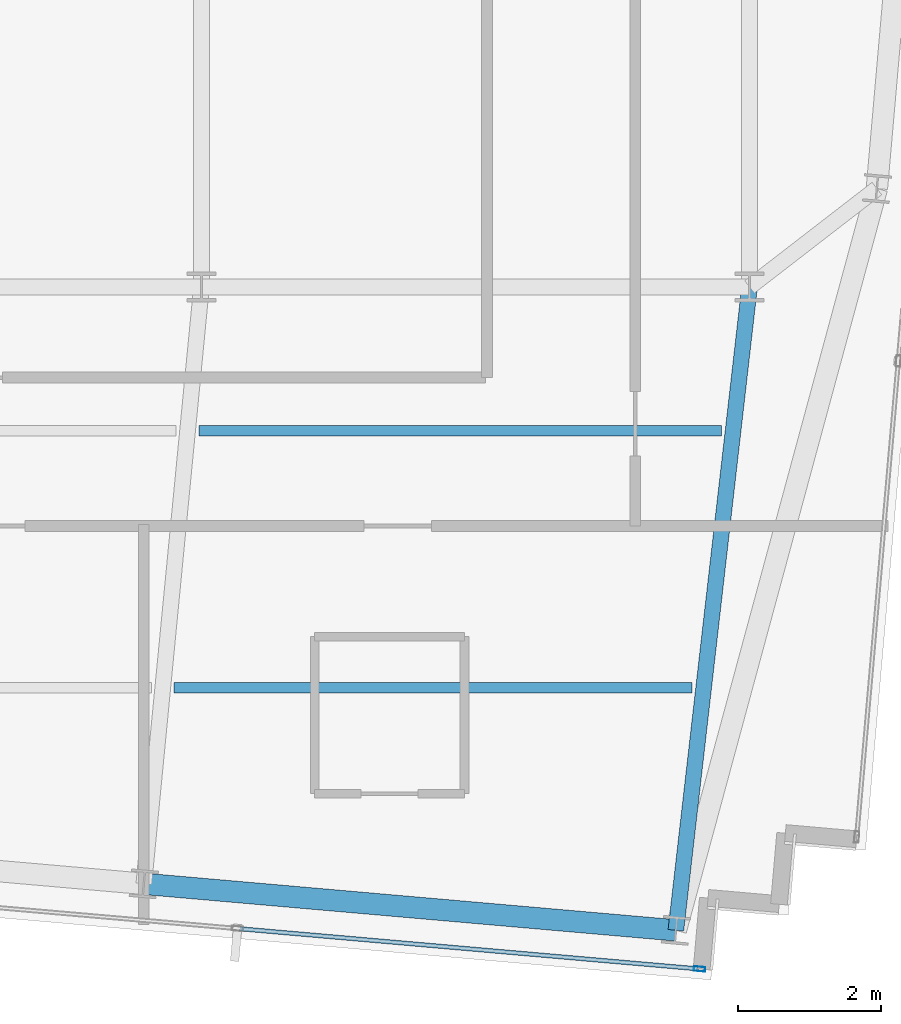
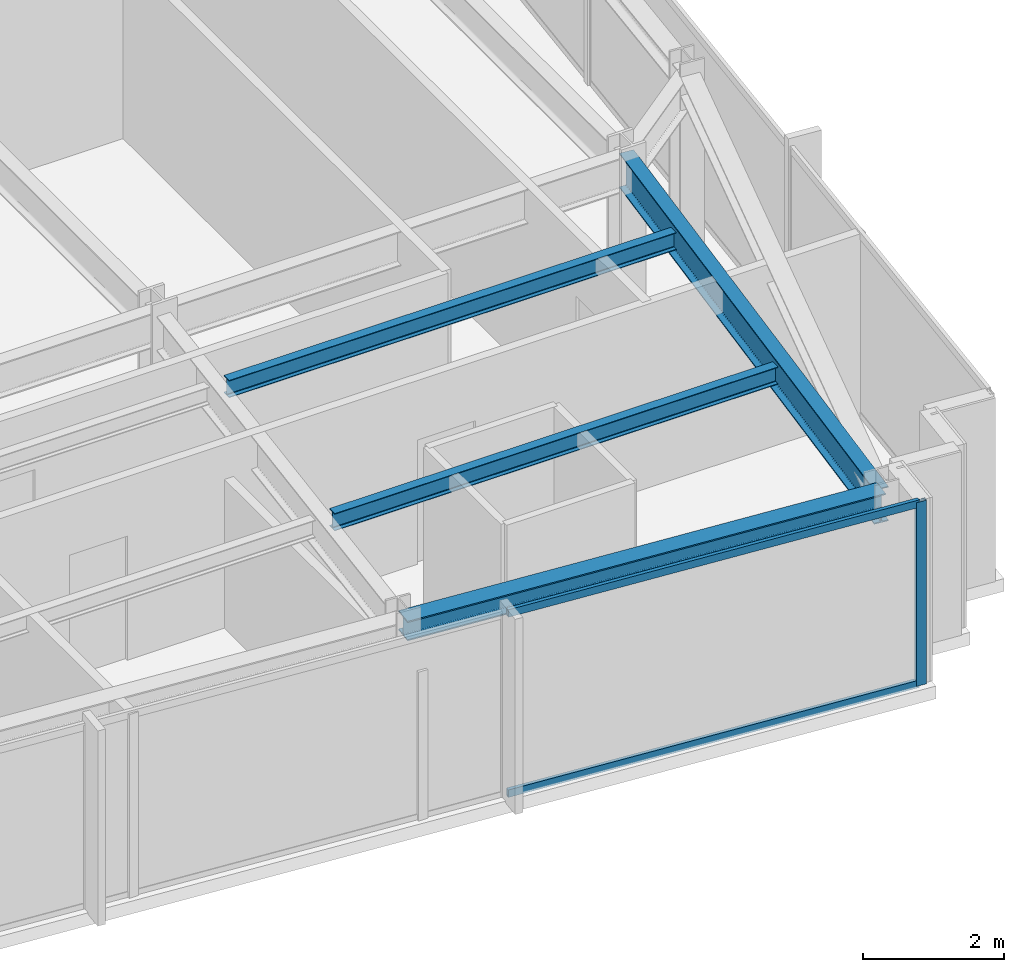
# One storey, part 14 of 32: 4 beams, 3 members, 1 element without a shape of its own.
"""IFC4 building model written with IfcOpenShell, lengths in metres."""

from ifc_helpers import new_model, si_unit, direction, frame, origin, origin_2d, place, context, subcontext, project, spatial, hollow_rectangle, i_section, extrude, material, material_profile, profile_set, type_object, element, aggregate, save


model = new_model("IFC4")

# Units and contexts
model_context = context("Model", 3, precision=1e-05, world=origin(), true_north=direction((0.0, 1.0)))
body_context = subcontext(model_context, "Body", "Model", "MODEL_VIEW")
ifc_project = project(units=[si_unit("LENGTHUNIT", "METRE"), si_unit("AREAUNIT", "SQUARE_METRE"), si_unit("VOLUMEUNIT", "CUBIC_METRE"), si_unit("PLANEANGLEUNIT", "RADIAN"), si_unit("MASSUNIT", "GRAM", prefix="KILO")], contexts=[model_context])

# Site, building, storey
site_placement = place(None, origin())
site = spatial("IfcSite", under=ifc_project, at=site_placement, CompositionType="ELEMENT")
building_placement = place(site_placement, origin())
building = spatial("IfcBuilding", under=site, at=building_placement, Name="Yelkora Congress Tower", CompositionType="ELEMENT")
storey_placement = place(building_placement, frame((0.0, 0.0, 279.5)))
storey = spatial("IfcBuildingStorey", under=building, at=storey_placement, Name="L78", CompositionType="ELEMENT", Elevation=279.5)

# Beams
ifc_material_1 = material(Name="Steel S355J2", Category="steel")
ifc_material_profile_1 = material_profile(ifc_material_1, i_section(OverallWidth=0.219970703125, OverallDepth=0.60009765625, WebThickness=0.011962890625, FlangeThickness=0.01904296875, FilletRadius=0.02392578125, at=origin_2d()), Name="IPE 600")
ifc_profile_set_1 = profile_set([ifc_material_profile_1], Name="Steel S355J2")
beam_type_1 = type_object("IfcBeamType", Name="BM-GIRD-IPE600", PredefinedType="BEAM", material=ifc_profile_set_1)
beam_1_placement = place(storey_placement, frame((52.727294921875, 16.1845703125, 2.8798828125), z_axis=(0.113806093355, 0.993502980929, 0.0), x_axis=(-0.993502980929, 0.113806093355, 0.0)))
element("IfcBeam", 1, at=beam_1_placement, inside=storey, type_object=beam_type_1, Name="L78 Primary Frame Girder S07", PredefinedType="BEAM", context=body_context, shape_type="SweptSolid", body=[
    extrude(i_section(OverallWidth=0.219970703125, OverallDepth=0.60009765625, WebThickness=0.011962890625, FlangeThickness=0.01904296875, FilletRadius=0.02392578125, at=origin_2d()), origin(), (0.0, 0.0, 1.0), 9.07421875),
])
ifc_material_profile_2 = material_profile(ifc_material_1, i_section(OverallWidth=0.14990234375, OverallDepth=0.300048828125, WebThickness=0.007080078125, FlangeThickness=0.0107421875, FilletRadius=0.014892578125, at=origin_2d()), Name="IPE 300")
ifc_profile_set_2 = profile_set([ifc_material_profile_2], Name="Steel S355J2")
beam_type_2 = type_object("IfcBeamType", Name="BM-JOIST-IPE300", PredefinedType="JOIST", material=ifc_profile_set_2)
beam_2_placement = place(storey_placement, frame((45.69775390625, 19.58447265625, 3.030029296875), z_axis=(1.0, 0.0, 0.0), x_axis=(0.0, 1.0, 0.0)))
element("IfcBeam", 2, at=beam_2_placement, inside=storey, type_object=beam_type_2, Name="L78 Composite Floor Joist 4", PredefinedType="JOIST", context=body_context, shape_type="SweptSolid", body=[
    extrude(i_section(OverallWidth=0.14990234375, OverallDepth=0.300048828125, WebThickness=0.007080078125, FlangeThickness=0.0107421875, FilletRadius=0.014892578125, at=origin_2d()), origin(), (0.0, 0.0, 1.0), 7.259033203125),
])
beam_3_placement = place(storey_placement, frame((46.04541015625, 23.1845703125, 3.030029296875), z_axis=(1.0, 0.0, 0.0), x_axis=(0.0, 1.0, 0.0)))
element("IfcBeam", 3, at=beam_3_placement, inside=storey, type_object=beam_type_2, Name="L78 Composite Floor Joist 8", PredefinedType="JOIST", context=body_context, shape_type="SweptSolid", body=[
    extrude(i_section(OverallWidth=0.14990234375, OverallDepth=0.300048828125, WebThickness=0.007080078125, FlangeThickness=0.0107421875, FilletRadius=0.014892578125, at=origin_2d()), origin(), (0.0, 0.0, 1.0), 7.32373046875),
])
ifc_material_profile_3 = material_profile(ifc_material_1, i_section(OverallWidth=0.300048828125, OverallDepth=0.340087890625, WebThickness=0.011962890625, FlangeThickness=0.021484375, FilletRadius=0.027099609375, at=origin_2d()), Name="HEB 340")
ifc_profile_set_3 = profile_set([ifc_material_profile_3], Name="Steel S355J2")
beam_type_3 = type_object("IfcBeamType", Name="BM-SPAN-HEB340", PredefinedType="SPANDREL", material=ifc_profile_set_3)
beam_4_placement = place(storey_placement, frame((45.2724609375, 16.836669921875, 3.010009765625), z_axis=(0.99619601894, -0.087140644067, 0.0), x_axis=(0.087140644067, 0.99619601894, 0.0)))
element("IfcBeam", 4, at=beam_4_placement, inside=storey, type_object=beam_type_3, Name="L78 Perimeter Beam 6", PredefinedType="SPANDREL", context=body_context, shape_type="SweptSolid", body=[
    extrude(i_section(OverallWidth=0.300048828125, OverallDepth=0.340087890625, WebThickness=0.011962890625, FlangeThickness=0.021484375, FilletRadius=0.027099609375, at=origin_2d()), origin(), (0.0, 0.0, 1.0), 7.4833984375),
])

# Curtain wall, members
ifc_material_2 = material(Name="Anodised aluminium and insulated glass", Category="aluminium")
curtain_wall_type = type_object("IfcCurtainWallType", Name="CW-SYS-B5", PredefinedType="NOTDEFINED", material=ifc_material_2)
curtain_wall_placement = place(storey_placement, origin())
curtain_wall = element("IfcCurtainWall", 5, at=curtain_wall_placement, inside=storey, type_object=curtain_wall_type, Name="L78 Unitised Curtain Wall 20", PredefinedType="NOTDEFINED")
ifc_material_3 = material(Name="Anodised aluminium 6063-T6", Category="aluminium")
ifc_material_profile_4 = material_profile(ifc_material_3, hollow_rectangle(XDim=0.06494140625, YDim=0.159912109375, WallThickness=0.00390625, at=origin_2d()), Name="ALU 65x160x4")
ifc_profile_set_4 = profile_set([ifc_material_profile_4], Name="Anodised aluminium 6063-T6")
member_type_1 = type_object("IfcMemberType", Name="MEM-ML-B5", PredefinedType="MULLION", material=ifc_profile_set_4)
member_1_placement = place(storey_placement, frame((53.058837890625, 15.6435546875, 0.0), z_axis=(0.0, 0.0, 1.0), x_axis=(-0.087156829793, -0.996194602987, 0.0)))
member_1 = element("IfcMember", 6, at=member_1_placement, type_object=member_type_1, Name="CW-B5 mullion 1", PredefinedType="MULLION", context=body_context, shape_type="SweptSolid", body=[
    extrude(hollow_rectangle(XDim=0.06494140625, YDim=0.159912109375, WallThickness=0.00390625, at=origin_2d()), origin(), (0.0, 0.0, 1.0), 3.179931640625),
])
ifc_material_profile_5 = material_profile(ifc_material_3, hollow_rectangle(XDim=0.06005859375, YDim=0.1298828125, WallThickness=0.00390625, at=origin_2d()), Name="ALU 60x130x4")
ifc_profile_set_5 = profile_set([ifc_material_profile_5], Name="Anodised aluminium 6063-T6")
member_type_2 = type_object("IfcMemberType", Name="MEM-TR-B5", PredefinedType="USERDEFINED", material=ifc_profile_set_5)
member_2_placement = place(storey_placement, frame((53.0263671875, 15.646484375, 0.030029296875), z_axis=(-0.996197464696, 0.087124114537, 0.0), x_axis=(-0.087124114537, -0.996197464696, 0.0)))
member_2 = element("IfcMember", 7, at=member_2_placement, type_object=member_type_2, Name="CW-B5 transom 1.1", ObjectType="TRANSOM", PredefinedType="USERDEFINED", context=body_context, shape_type="SweptSolid", body=[
    extrude(hollow_rectangle(XDim=0.06005859375, YDim=0.1298828125, WallThickness=0.00390625, at=origin_2d()), origin(), (0.0, 0.0, 1.0), 6.433837890625),
])
member_3_placement = place(storey_placement, frame((53.0263671875, 15.646484375, 3.14990234375), z_axis=(-0.996197464696, 0.087124114537, 0.0), x_axis=(-0.087124114537, -0.996197464696, 0.0)))
member_3 = element("IfcMember", 8, at=member_3_placement, type_object=member_type_2, Name="CW-B5 transom 1.2", ObjectType="TRANSOM", PredefinedType="USERDEFINED", context=body_context, shape_type="SweptSolid", body=[
    extrude(hollow_rectangle(XDim=0.06005859375, YDim=0.1298828125, WallThickness=0.00390625, at=origin_2d()), origin(), (0.0, 0.0, 1.0), 6.433837890625),
])
aggregate(curtain_wall, [member_1, member_2, member_3])

save(model, "model.ifc")
